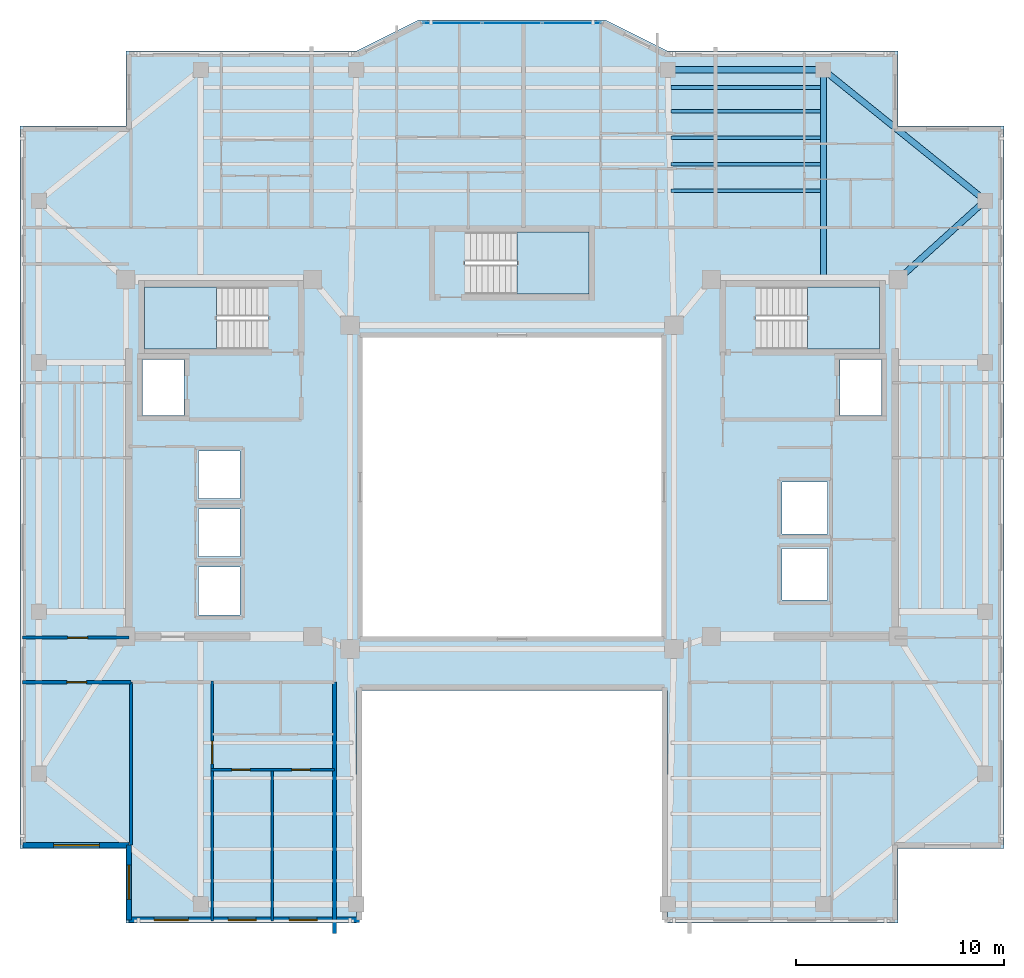
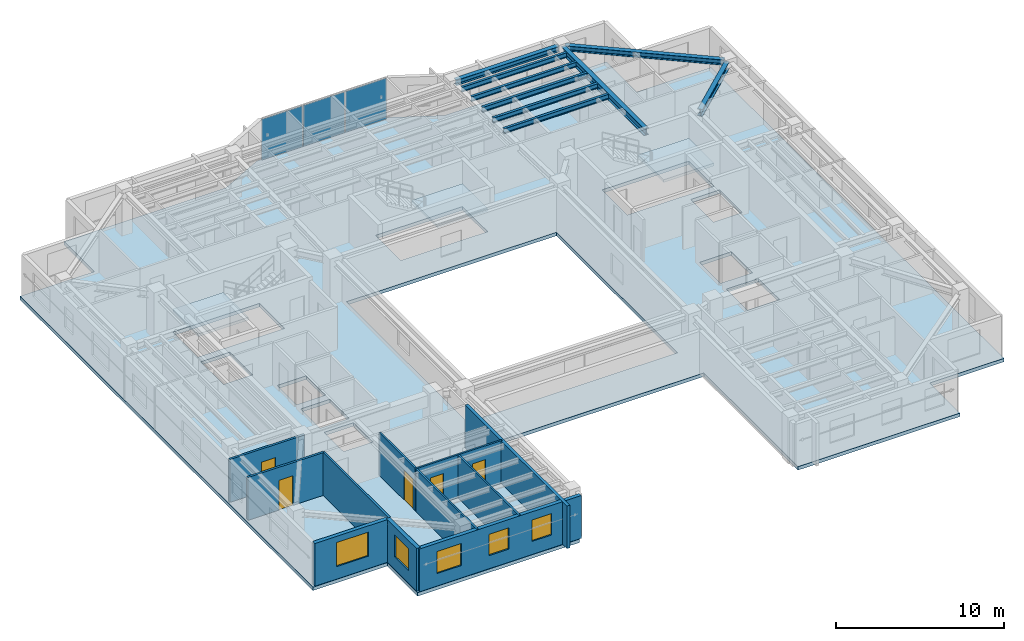
# One storey, part 3 of 12: 10 walls, 9 beams, 5 doors, 5 windows, 4 slabs, 3 plates, 10 openings, 4 elements without a shape of their own.
"""IFC4 building model written with IfcOpenShell, lengths in metres."""

from ifc_helpers import new_model, si_unit, direction, frame, frame_2d, origin, origin_2d, place, context, subcontext, project, spatial, polyline, rectangle, i_section, outline, extrude, material, layer, layer_set, material_profile, profile_set, type_object, element, fill, aggregate, save


model = new_model("IFC4")

# Units and contexts
model_context = context("Model", 3, precision=1e-05, world=origin(), true_north=direction((0.0, 1.0)))
body_context = subcontext(model_context, "Body", "Model", "MODEL_VIEW")
ifc_project = project(units=[si_unit("LENGTHUNIT", "METRE"), si_unit("AREAUNIT", "SQUARE_METRE"), si_unit("VOLUMEUNIT", "CUBIC_METRE"), si_unit("PLANEANGLEUNIT", "RADIAN"), si_unit("MASSUNIT", "GRAM", prefix="KILO")], contexts=[model_context])

# Site, building, storey
site_placement = place(None, origin())
site = spatial("IfcSite", under=ifc_project, at=site_placement, CompositionType="ELEMENT")
building_placement = place(site_placement, origin())
building = spatial("IfcBuilding", under=site, at=building_placement, Name="Tarnavaz Court Tower", CompositionType="ELEMENT")
storey_placement = place(building_placement, frame((0.0, 0.0, 200.300048828125)))
storey = spatial("IfcBuildingStorey", under=building, at=storey_placement, Name="L54", CompositionType="ELEMENT", Elevation=200.300048828125)

# Beams
ifc_material_1 = material(Name="Steel S355", Category="steel")
ifc_material_profile_1 = material_profile(ifc_material_1, i_section(OverallWidth=0.300048828125, OverallDepth=0.5, WebThickness=0.014404296875, FlangeThickness=0.028076171875, FilletRadius=0.027099609375, at=origin_2d()), Name="HEB 500")
ifc_profile_set_1 = profile_set([ifc_material_profile_1], Name="Steel S355")
beam_type_1 = type_object("IfcBeamType", Name="BM-G-HEB500", PredefinedType="USERDEFINED", material=ifc_profile_set_1)
beam_1_placement = place(storey_placement, frame((15.0, 10.0400390625, 2.849853515625), z_axis=(0.0, 1.0, 0.0), x_axis=(-1.0, 0.0, 0.0)))
element("IfcBeam", 1, at=beam_1_placement, inside=storey, type_object=beam_type_1, Name="L54 Beam RG-04", ObjectType="GIRDER", PredefinedType="USERDEFINED", context=body_context, shape_type="SweptSolid", body=[
    extrude(i_section(OverallWidth=0.300048828125, OverallDepth=0.5, WebThickness=0.014404296875, FlangeThickness=0.028076171875, FilletRadius=0.027099609375, at=origin_2d()), origin(), (0.0, 0.0, 1.0), 9.83984375),
])
beam_2_placement = place(storey_placement, frame((18.76318359375, 10.147705078125, 2.849853515625), z_axis=(0.741555708494, 0.670891296113, 0.0), x_axis=(-0.670891296113, 0.741555708494, 0.0)))
element("IfcBeam", 2, at=beam_2_placement, inside=storey, type_object=beam_type_1, Name="L54 Beam RG-12", ObjectType="GIRDER", PredefinedType="USERDEFINED", context=body_context, shape_type="SweptSolid", body=[
    extrude(i_section(OverallWidth=0.300048828125, OverallDepth=0.5, WebThickness=0.014404296875, FlangeThickness=0.028076171875, FilletRadius=0.027099609375, at=origin_2d()), origin(), (0.0, 0.0, 1.0), 5.223876953125),
])
ifc_material_profile_2 = material_profile(ifc_material_1, i_section(OverallWidth=0.169921875, OverallDepth=0.360107421875, WebThickness=0.008056640625, FlangeThickness=0.0126953125, FilletRadius=0.01806640625, at=origin_2d()), Name="IPE 360")
ifc_profile_set_2 = profile_set([ifc_material_profile_2], Name="Steel S355")
beam_type_2 = type_object("IfcBeamType", Name="BM-J-IPE360", PredefinedType="JOIST", material=ifc_profile_set_2)
for number, where, z_axis, x_axis, name in (
    (3, (7.64990234375, 14.278076171875, 2.919921875), (1.0, 0.0, 0.0), (0.0, 1.0, 0.0), "L54 Beam JN1-3"),
    (4, (7.64990234375, 15.555908203125, 2.919921875), (1.0, 0.0, 0.0), (0.0, 1.0, 0.0), "L54 Beam JN2-3"),
    (5, (7.64990234375, 16.833984375, 2.919921875), (1.0, 0.0, 0.0), (0.0, 1.0, 0.0), "L54 Beam JN3-3"),
    (6, (7.64990234375, 18.112060546875, 2.919921875), (1.0, 0.0, 0.0), (0.0, 1.0, 0.0), "L54 Beam JN4-3"),
    (7, (7.64990234375, 19.248046875, 2.919921875), (1.0, 0.0, 0.0), (0.0, 1.0, 0.0), "L54 Beam JN5-3"),
):
    element("IfcBeam", number, at=place(storey_placement, frame(where, z_axis=z_axis, x_axis=x_axis)), inside=storey, type_object=beam_type_2, Name=name, PredefinedType="JOIST", context=body_context, shape_type="SweptSolid", body=[
        extrude(i_section(OverallWidth=0.169921875, OverallDepth=0.360107421875, WebThickness=0.008056640625, FlangeThickness=0.0126953125, FilletRadius=0.01806640625, at=origin_2d()), origin(), (0.0, 0.0, 1.0), 7.2001953125),
    ])
ifc_material_profile_3 = material_profile(ifc_material_1, i_section(OverallWidth=0.300048828125, OverallDepth=0.389892578125, WebThickness=0.010986328125, FlangeThickness=0.01904296875, FilletRadius=0.027099609375, at=origin_2d()), Name="HEA 400")
ifc_profile_set_3 = profile_set([ifc_material_profile_3], Name="Steel S355")
beam_type_3 = type_object("IfcBeamType", Name="BM-SP-HEA400", PredefinedType="BEAM", material=ifc_profile_set_3)
beam_3_placement = place(storey_placement, frame((7.719970703125, 20.10009765625, 2.905029296875), z_axis=(1.0, 0.0, 0.0), x_axis=(0.0, 1.0, 0.0)))
element("IfcBeam", 8, at=beam_3_placement, inside=storey, type_object=beam_type_3, Name="L54 Beam PR-PN-3-PN-4", PredefinedType="BEAM", context=body_context, shape_type="SweptSolid", body=[
    extrude(i_section(OverallWidth=0.300048828125, OverallDepth=0.389892578125, WebThickness=0.010986328125, FlangeThickness=0.01904296875, FilletRadius=0.027099609375, at=origin_2d()), origin(), (0.0, 0.0, 1.0), 7.06005859375),
])
beam_4_placement = place(storey_placement, frame((15.171142578125, 19.9619140625, 2.905029296875), z_axis=(0.777935913531, -0.628343627674, 0.0), x_axis=(0.628343627674, 0.777935913531, 0.0)))
element("IfcBeam", 9, at=beam_4_placement, inside=storey, type_object=beam_type_3, Name="L54 Beam PR-PN-4-PE-4", PredefinedType="BEAM", context=body_context, shape_type="SweptSolid", body=[
    extrude(i_section(OverallWidth=0.300048828125, OverallDepth=0.389892578125, WebThickness=0.010986328125, FlangeThickness=0.01904296875, FilletRadius=0.027099609375, at=origin_2d()), origin(), (0.0, 0.0, 1.0), 9.586669921875),
])

# Curtain wall, plates
ifc_material_2 = material(Name="Anodised Aluminium 6063-T6 and Solar Low-E Glazing", Category="aluminium")
ifc_layer_1 = layer(ifc_material_2, 0.159912109375)
ifc_layer_set_1 = layer_set([ifc_layer_1], Name="Anodised Aluminium 6063-T6 and Solar Low-E Glazing")
curtain_wall_type = type_object("IfcCurtainWallType", Name="CW-SYS-03", PredefinedType="NOTDEFINED", material=ifc_layer_set_1)
curtain_wall_placement = place(storey_placement, origin())
curtain_wall = element("IfcCurtainWall", 10, at=curtain_wall_placement, inside=storey, type_object=curtain_wall_type, Name="L54 Iwan Prow Curtain Wall 7", PredefinedType="NOTDEFINED")
ifc_material_3 = material(Name="Double-Glazed Solar Low-E Glass", Category="glass")
ifc_layer_2 = layer(ifc_material_3, 0.028076171875)
ifc_layer_set_2 = layer_set([ifc_layer_2], Name="Double-Glazed Solar Low-E Glass")
plate_type = type_object("IfcPlateType", Name="CW-PAN-GLZ28", PredefinedType="CURTAIN_PANEL", material=ifc_layer_set_2)
plate_1_placement = place(storey_placement, frame((-2.88134765625, 22.35009765625, 0.06494140625), z_axis=(0.0, 0.0, 1.0), x_axis=(1.0, 0.0, 0.0)))
plate_1 = element("IfcPlate", 11, at=plate_1_placement, type_object=plate_type, Name="CW panel 1.1", PredefinedType="CURTAIN_PANEL", context=body_context, shape_type="SweptSolid", body=[
    extrude(rectangle(XDim=2.78759765625, YDim=0.028076171875, at=origin_2d()), origin(), (0.0, 0.0, 1.0), 2.969970703125),
])
plate_2_placement = place(storey_placement, frame((0.0, 22.35009765625, 0.06494140625), z_axis=(0.0, 0.0, 1.0), x_axis=(1.0, 0.0, 0.0)))
plate_2 = element("IfcPlate", 12, at=plate_2_placement, type_object=plate_type, Name="CW panel 2.1", PredefinedType="CURTAIN_PANEL", context=body_context, shape_type="SweptSolid", body=[
    extrude(rectangle(XDim=2.824951171875, YDim=0.028076171875, at=origin_2d()), origin(), (0.0, 0.0, 1.0), 2.969970703125),
])
plate_3_placement = place(storey_placement, frame((2.88134765625, 22.35009765625, 0.06494140625), z_axis=(0.0, 0.0, 1.0), x_axis=(1.0, 0.0, 0.0)))
plate_3 = element("IfcPlate", 13, at=plate_3_placement, type_object=plate_type, Name="CW panel 3.1", PredefinedType="CURTAIN_PANEL", context=body_context, shape_type="SweptSolid", body=[
    extrude(rectangle(XDim=2.78759765625, YDim=0.028076171875, at=origin_2d()), origin(), (0.0, 0.0, 1.0), 2.969970703125),
])
aggregate(curtain_wall, [plate_1, plate_2, plate_3])

# Stair, slab
ifc_material_4 = material(Name="Concrete C40/50", Category="concrete")
stair_type = type_object("IfcStairType", Name="ST-TWR-20R", PredefinedType="HALF_TURN_STAIR", material=ifc_material_4)
stair_1_placement = place(storey_placement, origin())
stair_1 = element("IfcStair", 14, at=stair_1_placement, inside=storey, type_object=stair_type, Name="L54 West Core Pressurized Exit Stair ST-W1", PredefinedType="HALF_TURN_STAIR")
ifc_layer_3 = layer(ifc_material_4, 0.199951171875)
ifc_layer_set_3 = layer_set([ifc_layer_3], Name="Concrete C40/50")
slab_type_1 = type_object("IfcSlabType", Name="SL-LAND-200", PredefinedType="LANDING", material=ifc_layer_set_3)
slab_1_placement = place(storey_placement, frame((0.0, 0.0, 1.474853515625)))
slab_1 = element("IfcSlab", 15, at=slab_1_placement, type_object=slab_type_1, Name="ST-W1 landing 1", PredefinedType="LANDING", context=body_context, shape_type="SweptSolid", body=[
    extrude(outline(polyline([(-14.239990234375, 9.639892578125), (-17.699951171875, 9.639892578125), (-17.699951171875, 6.64990234375), (-14.239990234375, 6.64990234375), (-14.239990234375, 9.639892578125)])), origin(), (0.0, 0.0, 1.0), 0.2001953125),
])
aggregate(stair_1, [slab_1])

stair_2_placement = place(storey_placement, origin())
stair_2 = element("IfcStair", 16, at=stair_2_placement, inside=storey, type_object=stair_type, Name="L54 East Core Pressurized Exit Stair ST-E1", PredefinedType="HALF_TURN_STAIR")
slab_2_placement = place(storey_placement, frame((0.0, 0.0, 1.474853515625)))
slab_2 = element("IfcSlab", 17, at=slab_2_placement, type_object=slab_type_1, Name="ST-E1 landing 1", PredefinedType="LANDING", context=body_context, shape_type="SweptSolid", body=[
    extrude(outline(polyline([(14.239990234375, 6.64990234375), (17.699951171875, 6.64990234375), (17.699951171875, 9.639892578125), (14.239990234375, 9.639892578125), (14.239990234375, 6.64990234375)])), origin(), (0.0, 0.0, 1.0), 0.2001953125),
])
aggregate(stair_2, [slab_2])

stair_3_placement = place(storey_placement, origin())
stair_3 = element("IfcStair", 18, at=stair_3_placement, inside=storey, type_object=stair_type, Name="L54 North Ring Pressurized Exit Stair ST-N1", PredefinedType="HALF_TURN_STAIR")
slab_3_placement = place(storey_placement, frame((0.0, 0.0, 1.474853515625)))
slab_3 = element("IfcSlab", 19, at=slab_3_placement, type_object=slab_type_1, Name="ST-N1 landing 1", PredefinedType="LANDING", context=body_context, shape_type="SweptSolid", body=[
    extrude(outline(polyline([(0.239990234375, 9.300048828125), (3.699951171875, 9.300048828125), (3.699951171875, 12.2900390625), (0.239990234375, 12.2900390625), (0.239990234375, 9.300048828125)])), origin(), (0.0, 0.0, 1.0), 0.2001953125),
])
aggregate(stair_3, [slab_3])

# Slab
ifc_layer_4 = layer(ifc_material_4, 0.25)
ifc_layer_set_4 = layer_set([ifc_layer_4], Name="Concrete C40/50")
slab_type_2 = type_object("IfcSlabType", Name="SL-RES-250", PredefinedType="FLOOR", material=ifc_layer_set_4)
slab_4_placement = place(storey_placement, frame((0.0, 0.0, -0.25)))
element("IfcSlab", 20, at=slab_4_placement, inside=storey, type_object=slab_type_2, Name="L54 Structural Floor Slab", PredefinedType="FLOOR", context=body_context, shape_type="SweptSolid", body=[
    extrude(outline(polyline([(-18.60009765625, -21.0), (-7.5, -21.0), (-7.5, -9.800048828125), (7.5, -9.800048828125), (7.5, -21.0), (18.60009765625, -21.0), (18.60009765625, -17.39990234375), (23.699951171875, -17.39990234375), (23.699951171875, 17.39990234375), (18.60009765625, 17.39990234375), (18.60009765625, 21.0), (7.5, 21.0), (4.5, 22.5), (-4.5, 22.5), (-7.5, 21.0), (-18.60009765625, 21.0), (-18.60009765625, 17.39990234375), (-23.699951171875, 17.39990234375), (-23.699951171875, -17.39990234375), (-18.60009765625, -17.39990234375), (-18.60009765625, -21.0)]), holes=[polyline([(-7.199951171875, -7.199951171875), (7.199951171875, -7.199951171875), (7.199951171875, 7.199951171875), (-7.199951171875, 7.199951171875), (-7.199951171875, -7.199951171875)]), polyline([(-11.7451171875, 9.639892578125), (-17.699951171875, 9.639892578125), (-17.699951171875, 6.64990234375), (-11.7451171875, 6.64990234375), (-11.7451171875, 9.639892578125)]), polyline([(11.7451171875, 6.64990234375), (17.699951171875, 6.64990234375), (17.699951171875, 9.639892578125), (11.7451171875, 9.639892578125), (11.7451171875, 6.64990234375)]), polyline([(-2.2548828125, 9.300048828125), (3.699951171875, 9.300048828125), (3.699951171875, 12.2900390625), (-2.2548828125, 12.2900390625), (-2.2548828125, 9.300048828125)]), polyline([(-17.800048828125, 3.449951171875), (-15.800048828125, 3.449951171875), (-15.800048828125, 6.14990234375), (-17.800048828125, 6.14990234375), (-17.800048828125, 3.449951171875)]), polyline([(-15.10009765625, -6.14990234375), (-13.10009765625, -6.14990234375), (-13.10009765625, -3.85009765625), (-15.10009765625, -3.85009765625), (-15.10009765625, -6.14990234375)]), polyline([(-15.10009765625, -3.35009765625), (-13.10009765625, -3.35009765625), (-13.10009765625, -1.050048828125), (-15.10009765625, -1.050048828125), (-15.10009765625, -3.35009765625)]), polyline([(-15.10009765625, -0.550048828125), (-13.10009765625, -0.550048828125), (-13.10009765625, 1.75), (-15.10009765625, 1.75), (-15.10009765625, -0.550048828125)]), polyline([(15.800048828125, 3.449951171875), (17.800048828125, 3.449951171875), (17.800048828125, 6.14990234375), (15.800048828125, 6.14990234375), (15.800048828125, 3.449951171875)]), polyline([(13.0, -5.449951171875), (15.199951171875, -5.449951171875), (15.199951171875, -2.949951171875), (13.0, -2.949951171875), (13.0, -5.449951171875)]), polyline([(13.0, -2.25), (15.199951171875, -2.25), (15.199951171875, 0.25), (13.0, 0.25), (13.0, -2.25)])]), origin(), (0.0, 0.0, 1.0), 0.25),
])

# Wall, opening, window
ifc_material_5 = material(Name="Precast Concrete C40/50", Category="concrete")
ifc_layer_5 = layer(ifc_material_5, 0.260009765625)
ifc_layer_set_5 = layer_set([ifc_layer_5], Name="Precast Concrete C40/50")
wall_type_1 = type_object("IfcWallType", Name="WL-EXT-260", PredefinedType="SOLIDWALL", material=ifc_layer_set_5)
wall_1_placement = place(storey_placement, frame((-18.449951171875, -17.25, 0.0), z_axis=(0.0, 0.0, 1.0), x_axis=(-1.0, 0.0, 0.0)))
wall_1 = element("IfcWall", 21, at=wall_1_placement, inside=storey, type_object=wall_type_1, Name="L54 Exterior Terracotta Facade Wall 01", PredefinedType="SOLIDWALL", context=body_context, shape_type="SweptSolid", body=[
    extrude(rectangle(XDim=5.10009765625, YDim=0.260009765625, at=frame_2d((2.550048828125, 0.0))), origin(), (0.0, 0.0, 1.0), 3.099853515625),
])
opening_1_placement = place(wall_1_placement, frame((1.425048828125, 0.0, 0.89990234375)))
opening_1 = element("IfcOpeningElement", 22, at=opening_1_placement, cuts=wall_1, Name="Opening W07", PredefinedType="OPENING", context=body_context, shape_type="SweptSolid", body=[
    extrude(rectangle(XDim=2.199951171875, YDim=1.75, at=frame_2d((1.10009765625, 0.875))), frame((0.0, 0.139892578125, 0.0), z_axis=(0.0, -1.0, 0.0), x_axis=(1.0, 0.0, 0.0)), (0.0, 0.0, 1.0), 0.280029296875),
])
window_type_1 = type_object("IfcWindowType", Name="WN-APT-2200", PartitioningType="TRIPLE_PANEL_VERTICAL", PredefinedType="WINDOW", material=ifc_material_3)
window_1_placement = place(opening_1_placement, origin())
window_1 = element("IfcWindow", 23, at=window_1_placement, inside=storey, type_object=window_type_1, Name="L54 South-West Corner Reading Room Window", OverallHeight=1.75, OverallWidth=2.199951171875, PartitioningType="SINGLE_PANEL", PredefinedType="WINDOW", context=body_context, shape_type="SweptSolid", body=[
    extrude(rectangle(XDim=2.199951171875, YDim=1.75, at=frame_2d((1.10009765625, 0.875))), frame((0.0, 0.030029296875, 0.0), z_axis=(0.0, -1.0, 0.0), x_axis=(1.0, 0.0, 0.0)), (0.0, 0.0, 1.0), 0.06005859375),
])
fill(opening_1, window_1)

# Wall, openings, windows
wall_2_placement = place(storey_placement, frame((-7.35009765625, -20.85009765625, 0.0), z_axis=(0.0, 0.0, 1.0), x_axis=(-1.0, 0.0, 0.0)))
wall_2 = element("IfcWall", 24, at=wall_2_placement, inside=storey, type_object=wall_type_1, Name="L54 Exterior Terracotta Facade Wall 19", PredefinedType="SOLIDWALL", context=body_context, shape_type="SweptSolid", body=[
    extrude(rectangle(XDim=11.099853515625, YDim=0.260009765625, at=frame_2d((5.5498046875, 0.0))), origin(), (0.0, 0.0, 1.0), 3.099853515625),
])
opening_2_placement = place(wall_2_placement, frame((2.037109375, 0.0, 0.949951171875)))
opening_2 = element("IfcOpeningElement", 25, at=opening_2_placement, cuts=wall_2, Name="Opening W04", PredefinedType="OPENING", context=body_context, shape_type="SweptSolid", body=[
    extrude(rectangle(XDim=1.35009765625, YDim=1.550048828125, at=frame_2d((0.675048828125, 0.77490234375))), frame((0.0, 0.139892578125, 0.0), z_axis=(0.0, -1.0, 0.0), x_axis=(1.0, 0.0, 0.0)), (0.0, 0.0, 1.0), 0.280029296875),
])
opening_3_placement = place(wall_2_placement, frame((4.9755859375, 0.0, 0.949951171875)))
opening_3 = element("IfcOpeningElement", 26, at=opening_3_placement, cuts=wall_2, Name="Opening W04", PredefinedType="OPENING", context=body_context, shape_type="SweptSolid", body=[
    extrude(rectangle(XDim=1.35009765625, YDim=1.550048828125, at=frame_2d((0.675048828125, 0.77490234375))), frame((0.0, 0.139892578125, 0.0), z_axis=(0.0, -1.0, 0.0), x_axis=(1.0, 0.0, 0.0)), (0.0, 0.0, 1.0), 0.280029296875),
])
opening_4_placement = place(wall_2_placement, frame((8.24072265625, 0.0, 0.89990234375)))
opening_4 = element("IfcOpeningElement", 27, at=opening_4_placement, cuts=wall_2, Name="Opening W02", PredefinedType="OPENING", context=body_context, shape_type="SweptSolid", body=[
    extrude(rectangle(XDim=1.64990234375, YDim=1.60009765625, at=frame_2d((0.824951171875, 0.800048828125))), frame((0.0, 0.139892578125, 0.0), z_axis=(0.0, -1.0, 0.0), x_axis=(1.0, 0.0, 0.0)), (0.0, 0.0, 1.0), 0.280029296875),
])
window_type_2 = type_object("IfcWindowType", Name="WN-APT-1350", PartitioningType="SINGLE_PANEL", PredefinedType="WINDOW", material=ifc_material_3)
window_2_placement = place(opening_2_placement, origin())
window_2 = element("IfcWindow", 28, at=window_2_placement, inside=storey, type_object=window_type_2, Name="L54 Flat 05 Bedroom 2 Window", OverallHeight=1.550048828125, OverallWidth=1.35009765625, PartitioningType="SINGLE_PANEL", PredefinedType="WINDOW", context=body_context, shape_type="SweptSolid", body=[
    extrude(rectangle(XDim=1.35009765625, YDim=1.550048828125, at=frame_2d((0.675048828125, 0.77490234375))), frame((0.0, 0.030029296875, 0.0), z_axis=(0.0, -1.0, 0.0), x_axis=(1.0, 0.0, 0.0)), (0.0, 0.0, 1.0), 0.06005859375),
])
fill(opening_2, window_2)
window_3_placement = place(opening_3_placement, origin())
window_3 = element("IfcWindow", 29, at=window_3_placement, inside=storey, type_object=window_type_2, Name="L54 Flat 05 Principal Bedroom Window", OverallHeight=1.550048828125, OverallWidth=1.35009765625, PartitioningType="SINGLE_PANEL", PredefinedType="WINDOW", context=body_context, shape_type="SweptSolid", body=[
    extrude(rectangle(XDim=1.35009765625, YDim=1.550048828125, at=frame_2d((0.675048828125, 0.77490234375))), frame((0.0, 0.030029296875, 0.0), z_axis=(0.0, -1.0, 0.0), x_axis=(1.0, 0.0, 0.0)), (0.0, 0.0, 1.0), 0.06005859375),
])
fill(opening_3, window_3)
window_type_3 = type_object("IfcWindowType", Name="WN-APT-1650", PartitioningType="DOUBLE_PANEL_VERTICAL", PredefinedType="WINDOW", material=ifc_material_3)
window_4_placement = place(opening_4_placement, origin())
window_4 = element("IfcWindow", 30, at=window_4_placement, inside=storey, type_object=window_type_3, Name="L54 Flat 05 Living and Dining Room Window", OverallHeight=1.60009765625, OverallWidth=1.64990234375, PartitioningType="SINGLE_PANEL", PredefinedType="WINDOW", context=body_context, shape_type="SweptSolid", body=[
    extrude(rectangle(XDim=1.64990234375, YDim=1.60009765625, at=frame_2d((0.824951171875, 0.800048828125))), frame((0.0, 0.030029296875, 0.0), z_axis=(0.0, -1.0, 0.0), x_axis=(1.0, 0.0, 0.0)), (0.0, 0.0, 1.0), 0.06005859375),
])
fill(opening_4, window_4)

# Wall, opening, window
wall_3_placement = place(storey_placement, frame((-18.449951171875, -20.85009765625, 0.0), z_axis=(0.0, 0.0, 1.0), x_axis=(0.0, 1.0, 0.0)))
wall_3 = element("IfcWall", 31, at=wall_3_placement, inside=storey, type_object=wall_type_1, Name="L54 Exterior Terracotta Facade Wall 20", PredefinedType="SOLIDWALL", context=body_context, shape_type="SweptSolid", body=[
    extrude(rectangle(XDim=3.60009765625, YDim=0.260009765625, at=frame_2d((1.800048828125, 0.0))), origin(), (0.0, 0.0, 1.0), 3.099853515625),
])
opening_5_placement = place(wall_3_placement, frame((0.992431640625, 0.0, 0.89990234375)))
opening_5 = element("IfcOpeningElement", 32, at=opening_5_placement, cuts=wall_3, Name="Opening W02", PredefinedType="OPENING", context=body_context, shape_type="SweptSolid", body=[
    extrude(rectangle(XDim=1.64990234375, YDim=1.60009765625, at=frame_2d((0.824951171875, 0.800048828125))), frame((0.0, 0.139892578125, 0.0), z_axis=(0.0, -1.0, 0.0), x_axis=(1.0, 0.0, 0.0)), (0.0, 0.0, 1.0), 0.280029296875),
])
window_5_placement = place(opening_5_placement, origin())
window_5 = element("IfcWindow", 33, at=window_5_placement, inside=storey, type_object=window_type_3, Name="L54 Flat 05 Living and Dining Room Window", OverallHeight=1.60009765625, OverallWidth=1.64990234375, PartitioningType="SINGLE_PANEL", PredefinedType="WINDOW", context=body_context, shape_type="SweptSolid", body=[
    extrude(rectangle(XDim=1.64990234375, YDim=1.60009765625, at=frame_2d((0.824951171875, 0.800048828125))), frame((0.0, 0.030029296875, 0.0), z_axis=(0.0, -1.0, 0.0), x_axis=(1.0, 0.0, 0.0)), (0.0, 0.0, 1.0), 0.06005859375),
])
fill(opening_5, window_5)

# Wall, opening, door
ifc_material_6 = material(Name="Gypsum Fire-Board on Acoustic Metal Stud", Category="masonry")
ifc_layer_6 = layer(ifc_material_6, 0.14990234375)
ifc_layer_set_6 = layer_set([ifc_layer_6], Name="Gypsum Fire-Board on Acoustic Metal Stud")
wall_type_2 = type_object("IfcWallType", Name="WL-FIRE-150", PredefinedType="PARTITIONING", material=ifc_layer_set_6)
wall_4_placement = place(storey_placement, frame((-23.580078125, -7.25, 0.0), z_axis=(0.0, 0.0, 1.0), x_axis=(1.0, 0.0, 0.0)))
wall_4 = element("IfcWall", 34, at=wall_4_placement, inside=storey, type_object=wall_type_2, Name="L54 Interior Partition 099", PredefinedType="PARTITIONING", context=body_context, shape_type="SweptSolid", body=[
    extrude(rectangle(XDim=5.130126953125, YDim=0.14990234375, at=frame_2d((2.56494140625, 0.0))), origin(), (0.0, 0.0, 1.0), 3.099853515625),
])
opening_6_placement = place(wall_4_placement, frame((2.179931640625, 0.0, 0.0)))
opening_6 = element("IfcOpeningElement", 35, at=opening_6_placement, cuts=wall_4, Name="Opening D06", PredefinedType="OPENING", context=body_context, shape_type="SweptSolid", body=[
    extrude(rectangle(XDim=0.9599609375, YDim=2.14990234375, at=frame_2d((0.47998046875, 1.074951171875))), frame((0.0, 0.0849609375, 0.0), z_axis=(0.0, -1.0, 0.0), x_axis=(1.0, 0.0, 0.0)), (0.0, 0.0, 1.0), 0.169921875),
])
ifc_material_7 = material(Name="Fire-Rated Hardwood Timber Core", Category="wood")
door_type_1 = type_object("IfcDoorType", Name="DR-FD60-950", OperationType="NOTDEFINED", PredefinedType="DOOR", material=ifc_material_7)
door_1_placement = place(opening_6_placement, origin())
door_1 = element("IfcDoor", 36, at=door_1_placement, inside=storey, type_object=door_type_1, Name="L54 Flat 07 Entrance Door", OperationType="SINGLE_SWING_RIGHT", OverallHeight=2.14990234375, OverallWidth=0.9599609375, PredefinedType="DOOR", context=body_context, shape_type="SweptSolid", body=[
    extrude(rectangle(XDim=0.9599609375, YDim=2.14990234375, at=frame_2d((0.47998046875, 1.074951171875))), frame((0.0, 0.02490234375, 0.0), z_axis=(0.0, -1.0, 0.0), x_axis=(1.0, 0.0, 0.0)), (0.0, 0.0, 1.0), 0.050048828125),
])
fill(opening_6, door_1)

wall_5_placement = place(storey_placement, frame((-23.580078125, -9.39990234375, 0.0), z_axis=(0.0, 0.0, 1.0), x_axis=(1.0, 0.0, 0.0)))
wall_5 = element("IfcWall", 37, at=wall_5_placement, inside=storey, type_object=wall_type_2, Name="L54 Interior Partition 109", PredefinedType="PARTITIONING", context=body_context, shape_type="SweptSolid", body=[
    extrude(rectangle(XDim=5.22998046875, YDim=0.14990234375, at=frame_2d((2.614990234375, 0.0))), origin(), (0.0, 0.0, 1.0), 3.099853515625),
])
opening_7_placement = place(wall_5_placement, frame((2.139892578125, 0.0, 0.0)))
opening_7 = element("IfcOpeningElement", 38, at=opening_7_placement, cuts=wall_5, Name="Opening D13", PredefinedType="OPENING", context=body_context, shape_type="SweptSolid", body=[
    extrude(rectangle(XDim=0.949951171875, YDim=2.14990234375, at=frame_2d((0.47509765625, 1.074951171875))), frame((0.0, 0.0849609375, 0.0), z_axis=(0.0, -1.0, 0.0), x_axis=(1.0, 0.0, 0.0)), (0.0, 0.0, 1.0), 0.169921875),
])
ifc_material_8 = material(Name="Engineered Oak Timber", Category="wood")
door_type_2 = type_object("IfcDoorType", Name="DR-INT-950", OperationType="NOTDEFINED", PredefinedType="DOOR", material=ifc_material_8)
door_2_placement = place(opening_7_placement, origin())
door_2 = element("IfcDoor", 39, at=door_2_placement, inside=storey, type_object=door_type_2, Name="L54 SW Reading Room Door", OperationType="SINGLE_SWING_RIGHT", OverallHeight=2.14990234375, OverallWidth=0.949951171875, PredefinedType="DOOR", context=body_context, shape_type="SweptSolid", body=[
    extrude(rectangle(XDim=0.949951171875, YDim=2.14990234375, at=frame_2d((0.47509765625, 1.074951171875))), frame((0.0, 0.02490234375, 0.0), z_axis=(0.0, -1.0, 0.0), x_axis=(1.0, 0.0, 0.0)), (0.0, 0.0, 1.0), 0.050048828125),
])
fill(opening_7, door_2)

# Wall
ifc_material_9 = material(Name="Autoclaved Aerated Concrete Blockwork", Category="masonry")
ifc_layer_7 = layer(ifc_material_9, 0.199951171875)
ifc_layer_set_7 = layer_set([ifc_layer_7], Name="Autoclaved Aerated Concrete Blockwork")
wall_type_3 = type_object("IfcWallType", Name="WL-FIRE-200", PredefinedType="SOLIDWALL", material=ifc_layer_set_7)
wall_6_placement = place(storey_placement, frame((-8.550048828125, -21.50390625, 0.0), z_axis=(0.0, 0.0, 1.0), x_axis=(0.0, 1.0, 0.0)))
element("IfcWall", 40, at=wall_6_placement, inside=storey, type_object=wall_type_3, Name="L54 Party Wall 097", PredefinedType="SOLIDWALL", context=body_context, shape_type="SweptSolid", body=[
    extrude(rectangle(XDim=12.10400390625, YDim=0.199951171875, at=frame_2d((6.052001953125, 0.0))), origin(), (0.0, 0.0, 1.0), 3.099853515625),
])

# Wall, opening, door
ifc_material_10 = material(Name="Moisture-Resistant Gypsum Board Partition", Category="masonry")
ifc_layer_8 = layer(ifc_material_10, 0.1201171875)
ifc_layer_set_8 = layer_set([ifc_layer_8], Name="Moisture-Resistant Gypsum Board Partition")
wall_type_4 = type_object("IfcWallType", Name="WL-PART-120", PredefinedType="PARTITIONING", material=ifc_layer_set_8)
wall_7_placement = place(storey_placement, frame((-14.43798828125, -20.89990234375, 0.0), z_axis=(0.0, 0.0, 1.0), x_axis=(0.0, 1.0, 0.0)))
wall_7 = element("IfcWall", 41, at=wall_7_placement, inside=storey, type_object=wall_type_4, Name="L54 Interior Partition 085", PredefinedType="PARTITIONING", context=body_context, shape_type="SweptSolid", body=[
    extrude(rectangle(XDim=11.559814453125, YDim=0.1201171875, at=frame_2d((5.77978515625, 0.0))), origin(), (0.0, 0.0, 1.0), 3.099853515625),
])
opening_8_placement = place(wall_7_placement, frame((7.56494140625, 0.0, 0.0)))
opening_8 = element("IfcOpeningElement", 42, at=opening_8_placement, cuts=wall_7, Name="Opening D12", PredefinedType="OPENING", context=body_context, shape_type="SweptSolid", body=[
    extrude(rectangle(XDim=1.080078125, YDim=2.14990234375, at=frame_2d((0.5400390625, 1.074951171875))), frame((0.0, 0.070068359375, 0.0), z_axis=(0.0, -1.0, 0.0), x_axis=(1.0, 0.0, 0.0)), (0.0, 0.0, 1.0), 0.14013671875),
])
door_type_3 = type_object("IfcDoorType", Name="DR-INT-1100", OperationType="NOTDEFINED", PredefinedType="DOOR", material=ifc_material_8)
door_3_placement = place(opening_8_placement, origin())
door_3 = element("IfcDoor", 43, at=door_3_placement, inside=storey, type_object=door_type_3, Name="L54 Flat 05 Foyer Door", OperationType="SINGLE_SWING_LEFT", OverallHeight=2.14990234375, OverallWidth=1.080078125, PredefinedType="DOOR", context=body_context, shape_type="SweptSolid", body=[
    extrude(rectangle(XDim=1.080078125, YDim=2.14990234375, at=frame_2d((0.5400390625, 1.074951171875))), frame((0.0, 0.02490234375, 0.0), z_axis=(0.0, -1.0, 0.0), x_axis=(1.0, 0.0, 0.0)), (0.0, 0.0, 1.0), 0.050048828125),
])
fill(opening_8, door_3)

# Wall, openings, doors
wall_8_placement = place(storey_placement, frame((-14.498046875, -13.6201171875, 0.0), z_axis=(0.0, 0.0, 1.0), x_axis=(1.0, 0.0, 0.0)))
wall_8 = element("IfcWall", 44, at=wall_8_placement, inside=storey, type_object=wall_type_4, Name="L54 Interior Partition 088", PredefinedType="PARTITIONING", context=body_context, shape_type="SweptSolid", body=[
    extrude(rectangle(XDim=5.9580078125, YDim=0.1201171875, at=frame_2d((2.97900390625, 0.0))), origin(), (0.0, 0.0, 1.0), 3.099853515625),
])
opening_9_placement = place(wall_8_placement, frame((1.0048828125, 0.0, 0.0)))
opening_9 = element("IfcOpeningElement", 45, at=opening_9_placement, cuts=wall_8, Name="Opening D14", PredefinedType="OPENING", context=body_context, shape_type="SweptSolid", body=[
    extrude(rectangle(XDim=0.8798828125, YDim=2.10009765625, at=frame_2d((0.43994140625, 1.050048828125))), frame((0.0, 0.070068359375, 0.0), z_axis=(0.0, -1.0, 0.0), x_axis=(1.0, 0.0, 0.0)), (0.0, 0.0, 1.0), 0.14013671875),
])
opening_10_placement = place(wall_8_placement, frame((3.89404296875, 0.0, 0.0)))
opening_10 = element("IfcOpeningElement", 46, at=opening_10_placement, cuts=wall_8, Name="Opening D14", PredefinedType="OPENING", context=body_context, shape_type="SweptSolid", body=[
    extrude(rectangle(XDim=0.8798828125, YDim=2.10009765625, at=frame_2d((0.43994140625, 1.050048828125))), frame((0.0, 0.070068359375, 0.0), z_axis=(0.0, -1.0, 0.0), x_axis=(1.0, 0.0, 0.0)), (0.0, 0.0, 1.0), 0.14013671875),
])
door_type_4 = type_object("IfcDoorType", Name="DR-INT-900", OperationType="NOTDEFINED", PredefinedType="DOOR", material=ifc_material_8)
door_4_placement = place(opening_9_placement, origin())
door_4 = element("IfcDoor", 47, at=door_4_placement, inside=storey, type_object=door_type_4, Name="L54 Flat 05 Bedroom 1 Door", OperationType="SINGLE_SWING_RIGHT", OverallHeight=2.10009765625, OverallWidth=0.8798828125, PredefinedType="DOOR", context=body_context, shape_type="SweptSolid", body=[
    extrude(rectangle(XDim=0.8798828125, YDim=2.10009765625, at=frame_2d((0.43994140625, 1.050048828125))), frame((0.0, 0.02490234375, 0.0), z_axis=(0.0, -1.0, 0.0), x_axis=(1.0, 0.0, 0.0)), (0.0, 0.0, 1.0), 0.050048828125),
])
fill(opening_9, door_4)
door_5_placement = place(opening_10_placement, origin())
door_5 = element("IfcDoor", 48, at=door_5_placement, inside=storey, type_object=door_type_4, Name="L54 Flat 05 Bedroom 2 Door", OperationType="SINGLE_SWING_LEFT", OverallHeight=2.10009765625, OverallWidth=0.8798828125, PredefinedType="DOOR", context=body_context, shape_type="SweptSolid", body=[
    extrude(rectangle(XDim=0.8798828125, YDim=2.10009765625, at=frame_2d((0.43994140625, 1.050048828125))), frame((0.0, 0.02490234375, 0.0), z_axis=(0.0, -1.0, 0.0), x_axis=(1.0, 0.0, 0.0)), (0.0, 0.0, 1.0), 0.050048828125),
])
fill(opening_10, door_5)

# Walls
wall_9_placement = place(storey_placement, frame((-11.549072265625, -20.89990234375, 0.0), z_axis=(0.0, 0.0, 1.0), x_axis=(0.0, 1.0, 0.0)))
element("IfcWall", 49, at=wall_9_placement, inside=storey, type_object=wall_type_4, Name="L54 Interior Partition 090", PredefinedType="PARTITIONING", context=body_context, shape_type="SweptSolid", body=[
    extrude(rectangle(XDim=7.33984375, YDim=0.1201171875, at=frame_2d((3.669921875, 0.0))), origin(), (0.0, 0.0, 1.0), 3.099853515625),
])
ifc_material_11 = material(Name="Gypsum Plasterboard Acoustic Partition", Category="masonry")
ifc_layer_9 = layer(ifc_material_11, 0.139892578125)
ifc_layer_set_9 = layer_set([ifc_layer_9], Name="Gypsum Plasterboard Acoustic Partition")
wall_type_5 = type_object("IfcWallType", Name="WL-PART-150", PredefinedType="PARTITIONING", material=ifc_layer_set_9)
wall_10_placement = place(storey_placement, frame((-18.35009765625, -17.25, 0.0), z_axis=(0.0, 0.0, 1.0), x_axis=(0.0, 1.0, 0.0)))
element("IfcWall", 50, at=wall_10_placement, inside=storey, type_object=wall_type_5, Name="L54 Interior Partition 103", PredefinedType="PARTITIONING", context=body_context, shape_type="SweptSolid", body=[
    extrude(rectangle(XDim=7.85009765625, YDim=0.139892578125, at=frame_2d((3.925048828125, 0.0))), origin(), (0.0, 0.0, 1.0), 3.099853515625),
])

save(model, "model.ifc")
